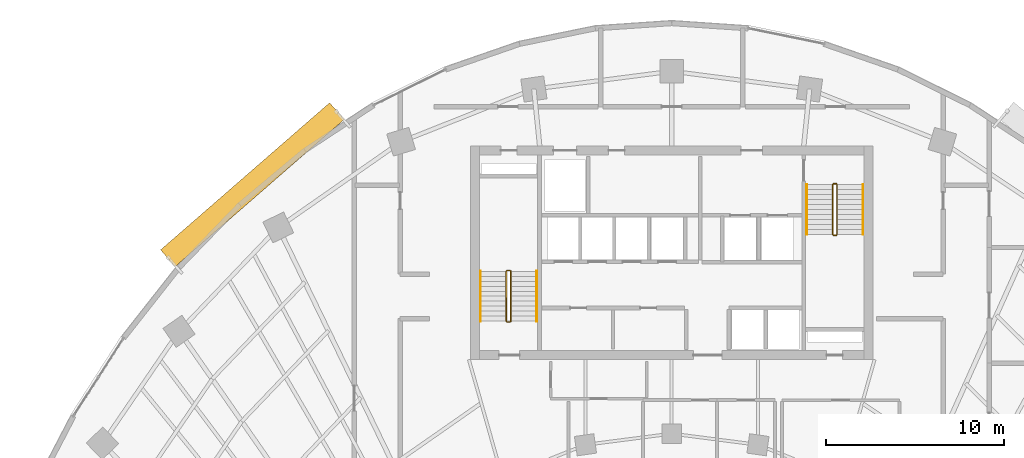
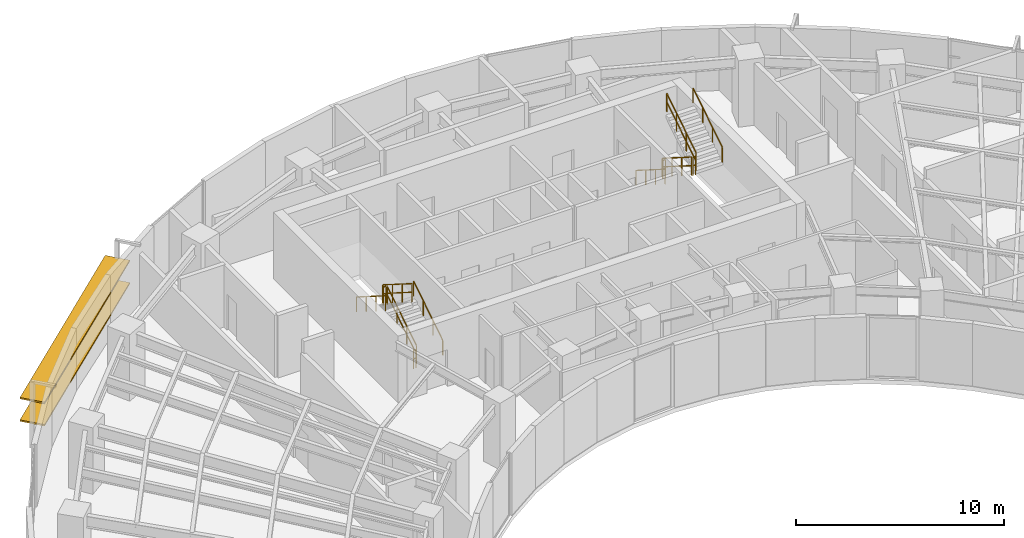
# One storey, part 13 of 14: 12 railings, 2 shading devices.
"""IFC4 building model written with IfcOpenShell, lengths in metres."""

from ifc_helpers import new_model, si_unit, direction, frame, origin, origin_2d, place, context, subcontext, project, spatial, rectangle, extrude, source, transform, mapped, material, material_profile, profile_set, type_object, element, save


model = new_model("IFC4")

# Units and contexts
model_context = context("Model", 3, precision=1e-05, world=origin(), true_north=direction((0.0, 1.0)))
body_context = subcontext(model_context, "Body", "Model", "MODEL_VIEW")
ifc_project = project(units=[si_unit("LENGTHUNIT", "METRE"), si_unit("AREAUNIT", "SQUARE_METRE"), si_unit("VOLUMEUNIT", "CUBIC_METRE"), si_unit("PLANEANGLEUNIT", "RADIAN"), si_unit("MASSUNIT", "GRAM", prefix="KILO")], contexts=[model_context])

# Site, building, storey
site_placement = place(None, origin())
site = spatial("IfcSite", under=ifc_project, at=site_placement, CompositionType="ELEMENT")
building_placement = place(site_placement, origin())
building = spatial("IfcBuilding", under=site, at=building_placement, Name="Breltana Convention Tower", CompositionType="ELEMENT")
storey_placement = place(building_placement, frame((0.0, 0.0, 119.39990234375)))
storey = spatial("IfcBuildingStorey", under=building, at=storey_placement, Name="L28", CompositionType="ELEMENT", Elevation=119.39990234375)

# Railings
ifc_material_1 = material(Name="Steel S275 Painted", Category="steel")
railing_type_1 = type_object("IfcRailingType", Name="RL-STAIR-GUARD-1100", PredefinedType="GUARDRAIL", material=ifc_material_1)
railing_1_placement = place(storey_placement, frame((38.9599609375, 62.360107421875, 0.177490234375)))
element("IfcRailing", 1, at=railing_1_placement, inside=storey, type_object=railing_type_1, Name="L28 ST-1 stair guard 1", PredefinedType="GUARDRAIL", context=body_context, shape_type="SweptSolid", body=[
    extrude(rectangle(XDim=0.048095703125, YDim=0.048095703125, at=origin_2d()), frame((0.0, 0.0, 1.076171875), z_axis=(0.0, 0.844887892834, 0.53494340686), x_axis=(-1.0, 0.0, 0.0)), (0.0, 0.0, 1.0), 3.313720703125),
    extrude(rectangle(XDim=0.048095703125, YDim=0.048095703125, at=origin_2d()), frame((0.0, 0.0, 0.572021484375), z_axis=(0.0, 0.844887892834, 0.53494340686), x_axis=(-1.0, 0.0, 0.0)), (0.0, 0.0, 1.0), 3.313720703125),
    extrude(rectangle(XDim=0.0419921875, YDim=0.0419921875, at=origin_2d()), origin(), (0.0, 0.0, 1.0), 1.052001953125),
    extrude(rectangle(XDim=0.0419921875, YDim=0.0419921875, at=origin_2d()), frame((0.0, 0.933349609375, 0.5908203125)), (0.0, 0.0, 1.0), 1.052001953125),
    extrude(rectangle(XDim=0.0419921875, YDim=0.0419921875, at=origin_2d()), frame((0.0, 1.866455078125, 1.181884765625)), (0.0, 0.0, 1.0), 1.052001953125),
    extrude(rectangle(XDim=0.0419921875, YDim=0.0419921875, at=origin_2d()), frame((0.0, 2.7998046875, 1.772705078125)), (0.0, 0.0, 1.0), 1.052001953125),
])
railing_2_placement = place(storey_placement, frame((38.909912109375, 65.2099609375, 1.9501953125)))
element("IfcRailing", 2, at=railing_2_placement, inside=storey, type_object=railing_type_1, Name="L28 ST-1 stair guard 2", PredefinedType="GUARDRAIL", context=body_context, shape_type="SweptSolid", body=[
    extrude(rectangle(XDim=0.048095703125, YDim=0.048095703125, at=origin_2d()), frame((0.0, 0.0, 1.076171875), z_axis=(-1.0, 0.0, 0.0), x_axis=(0.0, -1.0, 0.0)), (0.0, 0.0, 1.0), 0.14990234375),
    extrude(rectangle(XDim=0.048095703125, YDim=0.048095703125, at=origin_2d()), frame((0.0, 0.0, 0.572021484375), z_axis=(-1.0, 0.0, 0.0), x_axis=(0.0, -1.0, 0.0)), (0.0, 0.0, 1.0), 0.14990234375),
    extrude(rectangle(XDim=0.0419921875, YDim=0.0419921875, at=origin_2d()), origin(), (0.0, 0.0, 1.0), 1.052001953125),
    extrude(rectangle(XDim=0.0419921875, YDim=0.0419921875, at=origin_2d()), frame((-0.14990234375, 0.0, 0.0)), (0.0, 0.0, 1.0), 1.052001953125),
])
railing_3_placement = place(storey_placement, frame((38.7099609375, 65.159912109375, 2.12744140625)))
element("IfcRailing", 3, at=railing_3_placement, inside=storey, type_object=railing_type_1, Name="L28 ST-1 stair guard 3", PredefinedType="GUARDRAIL", context=body_context, shape_type="SweptSolid", body=[
    extrude(rectangle(XDim=0.048095703125, YDim=0.048095703125, at=origin_2d()), frame((0.0, 0.0, 1.076171875), z_axis=(0.0, -0.844887892834, 0.53494340686), x_axis=(1.0, 0.0, 0.0)), (0.0, 0.0, 1.0), 3.313720703125),
    extrude(rectangle(XDim=0.048095703125, YDim=0.048095703125, at=origin_2d()), frame((0.0, 0.0, 0.572021484375), z_axis=(0.0, -0.844887892834, 0.53494340686), x_axis=(1.0, 0.0, 0.0)), (0.0, 0.0, 1.0), 3.313720703125),
    extrude(rectangle(XDim=0.0419921875, YDim=0.0419921875, at=origin_2d()), origin(), (0.0, 0.0, 1.0), 1.052001953125),
    extrude(rectangle(XDim=0.0419921875, YDim=0.0419921875, at=origin_2d()), frame((0.0, -0.933349609375, 0.5908203125)), (0.0, 0.0, 1.0), 1.052001953125),
    extrude(rectangle(XDim=0.0419921875, YDim=0.0419921875, at=origin_2d()), frame((0.0, -1.866455078125, 1.181884765625)), (0.0, 0.0, 1.0), 1.052001953125),
    extrude(rectangle(XDim=0.0419921875, YDim=0.0419921875, at=origin_2d()), frame((0.0, -2.7998046875, 1.772705078125)), (0.0, 0.0, 1.0), 1.052001953125),
])
railing_4_placement = place(storey_placement, frame((38.909912109375, 62.31005859375, 0.0)))
element("IfcRailing", 4, at=railing_4_placement, inside=storey, type_object=railing_type_1, Name="L28 ST-1 stair guard 4", PredefinedType="GUARDRAIL", context=body_context, shape_type="SweptSolid", body=[
    extrude(rectangle(XDim=0.048095703125, YDim=0.048095703125, at=origin_2d()), frame((0.0, 0.0, 1.076171875), z_axis=(-1.0, 0.0, 0.0), x_axis=(0.0, -1.0, 0.0)), (0.0, 0.0, 1.0), 0.14990234375),
    extrude(rectangle(XDim=0.048095703125, YDim=0.048095703125, at=origin_2d()), frame((0.0, 0.0, 0.572021484375), z_axis=(-1.0, 0.0, 0.0), x_axis=(0.0, -1.0, 0.0)), (0.0, 0.0, 1.0), 0.14990234375),
    extrude(rectangle(XDim=0.0419921875, YDim=0.0419921875, at=origin_2d()), origin(), (0.0, 0.0, 1.0), 1.052001953125),
    extrude(rectangle(XDim=0.0419921875, YDim=0.0419921875, at=origin_2d()), frame((-0.14990234375, 0.0, 0.0)), (0.0, 0.0, 1.0), 1.052001953125),
])
railing_5_placement = place(storey_placement, frame((57.0400390625, 70.0400390625, 0.177490234375)))
element("IfcRailing", 5, at=railing_5_placement, inside=storey, type_object=railing_type_1, Name="L28 ST-2 stair guard 1", PredefinedType="GUARDRAIL", context=body_context, shape_type="SweptSolid", body=[
    extrude(rectangle(XDim=0.048095703125, YDim=0.048095703125, at=origin_2d()), frame((0.0, 0.0, 1.076171875), z_axis=(0.0, -0.844908973607, 0.534910110503), x_axis=(1.0, 0.0, 0.0)), (0.0, 0.0, 1.0), 3.31396484375),
    extrude(rectangle(XDim=0.048095703125, YDim=0.048095703125, at=origin_2d()), frame((0.0, 0.0, 0.572021484375), z_axis=(0.0, -0.844908973607, 0.534910110503), x_axis=(1.0, 0.0, 0.0)), (0.0, 0.0, 1.0), 3.31396484375),
    extrude(rectangle(XDim=0.0419921875, YDim=0.0419921875, at=origin_2d()), origin(), (0.0, 0.0, 1.0), 1.052001953125),
    extrude(rectangle(XDim=0.0419921875, YDim=0.0419921875, at=origin_2d()), frame((0.0, -0.933349609375, 0.5908203125)), (0.0, 0.0, 1.0), 1.052001953125),
    extrude(rectangle(XDim=0.0419921875, YDim=0.0419921875, at=origin_2d()), frame((0.0, -1.86669921875, 1.181884765625)), (0.0, 0.0, 1.0), 1.052001953125),
    extrude(rectangle(XDim=0.0419921875, YDim=0.0419921875, at=origin_2d()), frame((0.0, -2.800048828125, 1.772705078125)), (0.0, 0.0, 1.0), 1.052001953125),
])
railing_6_placement = place(storey_placement, frame((57.090087890625, 67.18994140625, 1.9501953125)))
element("IfcRailing", 6, at=railing_6_placement, inside=storey, type_object=railing_type_1, Name="L28 ST-2 stair guard 2", PredefinedType="GUARDRAIL", context=body_context, shape_type="SweptSolid", body=[
    extrude(rectangle(XDim=0.048095703125, YDim=0.048095703125, at=origin_2d()), frame((0.0, 0.0, 1.076171875), z_axis=(1.0, 0.0, 0.0), x_axis=(0.0, 1.0, 0.0)), (0.0, 0.0, 1.0), 0.14990234375),
    extrude(rectangle(XDim=0.048095703125, YDim=0.048095703125, at=origin_2d()), frame((0.0, 0.0, 0.572021484375), z_axis=(1.0, 0.0, 0.0), x_axis=(0.0, 1.0, 0.0)), (0.0, 0.0, 1.0), 0.14990234375),
    extrude(rectangle(XDim=0.0419921875, YDim=0.0419921875, at=origin_2d()), origin(), (0.0, 0.0, 1.0), 1.052001953125),
    extrude(rectangle(XDim=0.0419921875, YDim=0.0419921875, at=origin_2d()), frame((0.14990234375, 0.0, 0.0)), (0.0, 0.0, 1.0), 1.052001953125),
])
railing_7_placement = place(storey_placement, frame((57.2900390625, 67.239990234375, 2.12744140625)))
element("IfcRailing", 7, at=railing_7_placement, inside=storey, type_object=railing_type_1, Name="L28 ST-2 stair guard 3", PredefinedType="GUARDRAIL", context=body_context, shape_type="SweptSolid", body=[
    extrude(rectangle(XDim=0.048095703125, YDim=0.048095703125, at=origin_2d()), frame((0.0, 0.0, 1.076171875), z_axis=(0.0, 0.844908973607, 0.534910110503), x_axis=(-1.0, 0.0, 0.0)), (0.0, 0.0, 1.0), 3.31396484375),
    extrude(rectangle(XDim=0.048095703125, YDim=0.048095703125, at=origin_2d()), frame((0.0, 0.0, 0.572021484375), z_axis=(0.0, 0.844908973607, 0.534910110503), x_axis=(-1.0, 0.0, 0.0)), (0.0, 0.0, 1.0), 3.31396484375),
    extrude(rectangle(XDim=0.0419921875, YDim=0.0419921875, at=origin_2d()), origin(), (0.0, 0.0, 1.0), 1.052001953125),
    extrude(rectangle(XDim=0.0419921875, YDim=0.0419921875, at=origin_2d()), frame((0.0, 0.933349609375, 0.5908203125)), (0.0, 0.0, 1.0), 1.052001953125),
    extrude(rectangle(XDim=0.0419921875, YDim=0.0419921875, at=origin_2d()), frame((0.0, 1.86669921875, 1.181884765625)), (0.0, 0.0, 1.0), 1.052001953125),
    extrude(rectangle(XDim=0.0419921875, YDim=0.0419921875, at=origin_2d()), frame((0.0, 2.800048828125, 1.772705078125)), (0.0, 0.0, 1.0), 1.052001953125),
])
railing_8_placement = place(storey_placement, frame((57.090087890625, 70.090087890625, 0.0)))
element("IfcRailing", 8, at=railing_8_placement, inside=storey, type_object=railing_type_1, Name="L28 ST-2 stair guard 4", PredefinedType="GUARDRAIL", context=body_context, shape_type="SweptSolid", body=[
    extrude(rectangle(XDim=0.048095703125, YDim=0.048095703125, at=origin_2d()), frame((0.0, 0.0, 1.076171875), z_axis=(1.0, 0.0, 0.0), x_axis=(0.0, 1.0, 0.0)), (0.0, 0.0, 1.0), 0.14990234375),
    extrude(rectangle(XDim=0.048095703125, YDim=0.048095703125, at=origin_2d()), frame((0.0, 0.0, 0.572021484375), z_axis=(1.0, 0.0, 0.0), x_axis=(0.0, 1.0, 0.0)), (0.0, 0.0, 1.0), 0.14990234375),
    extrude(rectangle(XDim=0.0419921875, YDim=0.0419921875, at=origin_2d()), origin(), (0.0, 0.0, 1.0), 1.052001953125),
    extrude(rectangle(XDim=0.0419921875, YDim=0.0419921875, at=origin_2d()), frame((0.14990234375, 0.0, 0.0)), (0.0, 0.0, 1.0), 1.052001953125),
])
ifc_material_2 = material(Name="Stainless Steel 316L", Category="steel")
railing_type_2 = type_object("IfcRailingType", Name="RL-STAIR-HANDRAIL-900", PredefinedType="HANDRAIL", material=ifc_material_2)
railing_9_placement = place(storey_placement, frame((40.419921875, 62.360107421875, 0.177490234375)))
element("IfcRailing", 9, at=railing_9_placement, inside=storey, type_object=railing_type_2, Name="L28 ST-1 stair handrail 1", PredefinedType="HANDRAIL", context=body_context, shape_type="SweptSolid", body=[
    extrude(rectangle(XDim=0.048095703125, YDim=0.048095703125, at=origin_2d()), frame((0.0, 0.0, 0.8759765625), z_axis=(0.0, 0.844887892834, 0.53494340686), x_axis=(-1.0, 0.0, 0.0)), (0.0, 0.0, 1.0), 3.313720703125),
    extrude(rectangle(XDim=0.0419921875, YDim=0.0419921875, at=origin_2d()), origin(), (0.0, 0.0, 1.0), 0.851806640625),
    extrude(rectangle(XDim=0.0419921875, YDim=0.0419921875, at=origin_2d()), frame((0.0, 0.933349609375, 0.5908203125)), (0.0, 0.0, 1.0), 0.851806640625),
    extrude(rectangle(XDim=0.0419921875, YDim=0.0419921875, at=origin_2d()), frame((0.0, 1.866455078125, 1.181884765625)), (0.0, 0.0, 1.0), 0.851806640625),
    extrude(rectangle(XDim=0.0419921875, YDim=0.0419921875, at=origin_2d()), frame((0.0, 2.7998046875, 1.772705078125)), (0.0, 0.0, 1.0), 0.851806640625),
])
railing_10_placement = place(storey_placement, frame((37.25, 65.159912109375, 2.12744140625)))
element("IfcRailing", 10, at=railing_10_placement, inside=storey, type_object=railing_type_2, Name="L28 ST-1 stair handrail 2", PredefinedType="HANDRAIL", context=body_context, shape_type="SweptSolid", body=[
    extrude(rectangle(XDim=0.048095703125, YDim=0.048095703125, at=origin_2d()), frame((0.0, 0.0, 0.8759765625), z_axis=(0.0, -0.844887892834, 0.53494340686), x_axis=(1.0, 0.0, 0.0)), (0.0, 0.0, 1.0), 3.313720703125),
    extrude(rectangle(XDim=0.0419921875, YDim=0.0419921875, at=origin_2d()), origin(), (0.0, 0.0, 1.0), 0.851806640625),
    extrude(rectangle(XDim=0.0419921875, YDim=0.0419921875, at=origin_2d()), frame((0.0, -0.933349609375, 0.5908203125)), (0.0, 0.0, 1.0), 0.851806640625),
    extrude(rectangle(XDim=0.0419921875, YDim=0.0419921875, at=origin_2d()), frame((0.0, -1.866455078125, 1.181884765625)), (0.0, 0.0, 1.0), 0.851806640625),
    extrude(rectangle(XDim=0.0419921875, YDim=0.0419921875, at=origin_2d()), frame((0.0, -2.7998046875, 1.772705078125)), (0.0, 0.0, 1.0), 0.851806640625),
])
railing_11_placement = place(storey_placement, frame((55.580078125, 70.0400390625, 0.177490234375)))
element("IfcRailing", 11, at=railing_11_placement, inside=storey, type_object=railing_type_2, Name="L28 ST-2 stair handrail 1", PredefinedType="HANDRAIL", context=body_context, shape_type="SweptSolid", body=[
    extrude(rectangle(XDim=0.048095703125, YDim=0.048095703125, at=origin_2d()), frame((0.0, 0.0, 0.8759765625), z_axis=(0.0, -0.844908973607, 0.534910110503), x_axis=(1.0, 0.0, 0.0)), (0.0, 0.0, 1.0), 3.31396484375),
    extrude(rectangle(XDim=0.0419921875, YDim=0.0419921875, at=origin_2d()), origin(), (0.0, 0.0, 1.0), 0.851806640625),
    extrude(rectangle(XDim=0.0419921875, YDim=0.0419921875, at=origin_2d()), frame((0.0, -0.933349609375, 0.5908203125)), (0.0, 0.0, 1.0), 0.851806640625),
    extrude(rectangle(XDim=0.0419921875, YDim=0.0419921875, at=origin_2d()), frame((0.0, -1.86669921875, 1.181884765625)), (0.0, 0.0, 1.0), 0.851806640625),
    extrude(rectangle(XDim=0.0419921875, YDim=0.0419921875, at=origin_2d()), frame((0.0, -2.800048828125, 1.772705078125)), (0.0, 0.0, 1.0), 0.851806640625),
])
railing_12_placement = place(storey_placement, frame((58.75, 67.239990234375, 2.12744140625)))
element("IfcRailing", 12, at=railing_12_placement, inside=storey, type_object=railing_type_2, Name="L28 ST-2 stair handrail 2", PredefinedType="HANDRAIL", context=body_context, shape_type="SweptSolid", body=[
    extrude(rectangle(XDim=0.048095703125, YDim=0.048095703125, at=origin_2d()), frame((0.0, 0.0, 0.8759765625), z_axis=(0.0, 0.844908973607, 0.534910110503), x_axis=(-1.0, 0.0, 0.0)), (0.0, 0.0, 1.0), 3.31396484375),
    extrude(rectangle(XDim=0.0419921875, YDim=0.0419921875, at=origin_2d()), origin(), (0.0, 0.0, 1.0), 0.851806640625),
    extrude(rectangle(XDim=0.0419921875, YDim=0.0419921875, at=origin_2d()), frame((0.0, 0.933349609375, 0.5908203125)), (0.0, 0.0, 1.0), 0.851806640625),
    extrude(rectangle(XDim=0.0419921875, YDim=0.0419921875, at=origin_2d()), frame((0.0, 1.86669921875, 1.181884765625)), (0.0, 0.0, 1.0), 0.851806640625),
    extrude(rectangle(XDim=0.0419921875, YDim=0.0419921875, at=origin_2d()), frame((0.0, 2.800048828125, 1.772705078125)), (0.0, 0.0, 1.0), 0.851806640625),
])

# Shading devices
ifc_material_3 = material(Name="Limestone Warm Buff Honed", Category="masonry")
ifc_material_profile = material_profile(ifc_material_3, rectangle(XDim=1.25, YDim=0.090087890625, at=origin_2d()), Name="STN-LVR-1250X90")
ifc_profile_set = profile_set([ifc_material_profile], Name="Limestone Warm Buff Honed")
shading_device_type = type_object("IfcShadingDeviceType", Name="SHD-OUTER-SKIN-LIMESTONE-1250", PredefinedType="JALOUSIE", material=ifc_profile_set)
shared_shape = source(origin(), body_context, "Body", "SweptSolid", [
    extrude(rectangle(XDim=1.25, YDim=0.090087890625, at=origin_2d()), origin(), (0.0, 0.0, 1.0), 12.59423828125),
])
for number, where, z_axis, x_axis, name in (
    (13, (19.6826171875, 65.894775390625, 1.314208984375), (0.754366759368, 0.656453191295, 0.0), (-0.656453191295, 0.754366759368, 0.0), "L28 outer skin warm limestone louvre 1.1"),
    (14, (19.6826171875, 65.894775390625, 2.628173828125), (0.754366759368, 0.656453191295, 0.0), (-0.656453191295, 0.754366759368, 0.0), "L28 outer skin warm limestone louvre 1.2"),
):
    element("IfcShadingDevice", number, at=place(storey_placement, frame(where, z_axis=z_axis, x_axis=x_axis)), inside=storey, type_object=shading_device_type, Name=name, PredefinedType="JALOUSIE", context=body_context, shape_type="MappedRepresentation", body=[
        mapped(shared_shape, transform((0.0, 0.0, 0.0), scale=1.0)),
    ])

save(model, "model.ifc")
